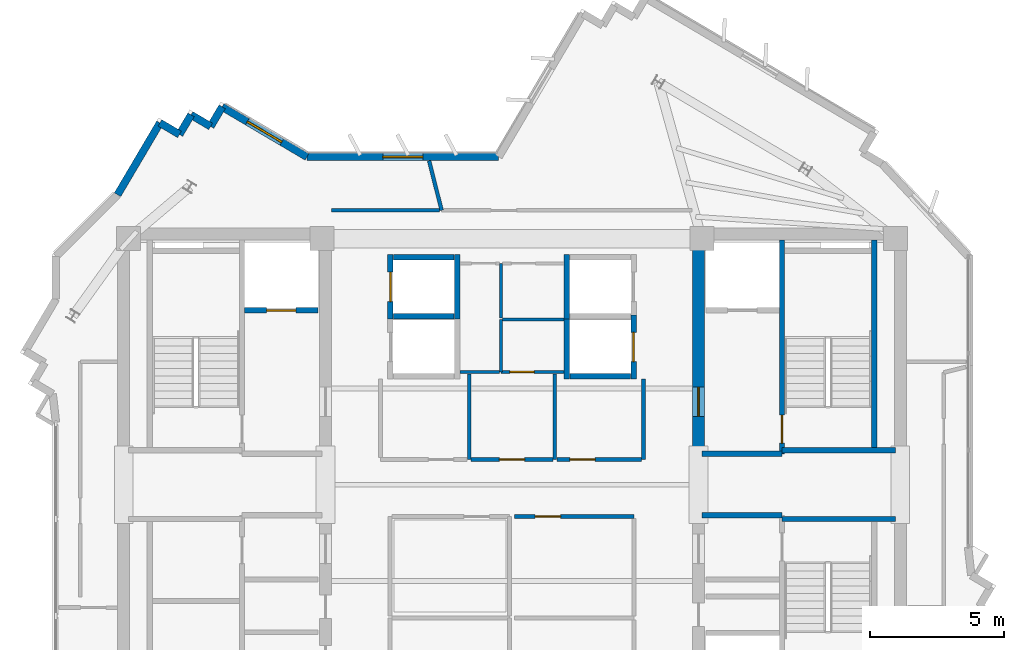
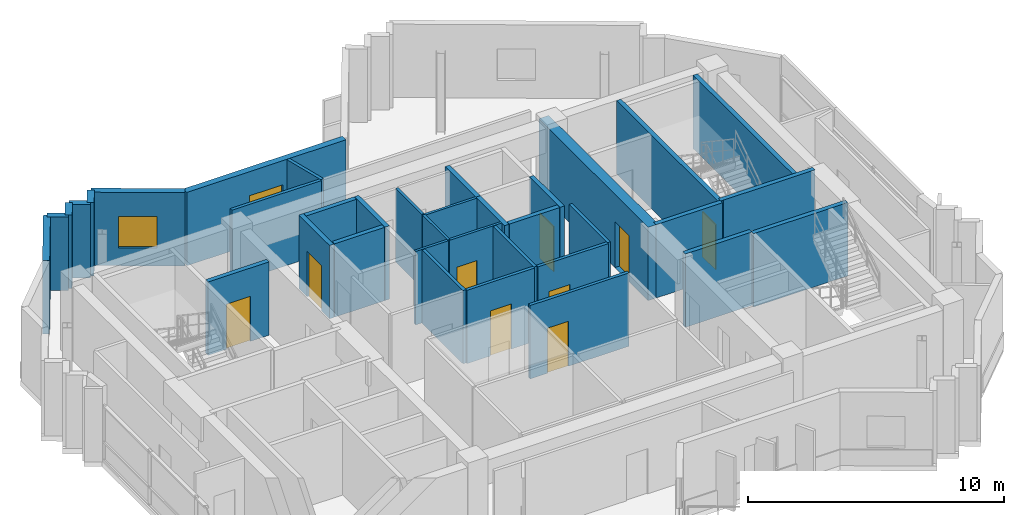
# One storey, part 6 of 10: 36 walls, 9 doors, 2 windows, 11 openings.
"""IFC4 building model written with IfcOpenShell, lengths in metres."""

from ifc_helpers import new_model, si_unit, direction, frame, frame_2d, origin, place, context, subcontext, project, spatial, rectangle, extrude, source, transform, mapped, material, layer, layer_set, type_object, element, fill, save


model = new_model("IFC4")

# Units and contexts
model_context = context("Model", 3, precision=1e-05, world=origin(), true_north=direction((0.0, 1.0)))
body_context = subcontext(model_context, "Body", "Model", "MODEL_VIEW")
ifc_project = project(units=[si_unit("LENGTHUNIT", "METRE"), si_unit("AREAUNIT", "SQUARE_METRE"), si_unit("VOLUMEUNIT", "CUBIC_METRE"), si_unit("PLANEANGLEUNIT", "RADIAN"), si_unit("MASSUNIT", "GRAM", prefix="KILO")], contexts=[model_context])

# Site, building, storey
site_placement = place(None, origin())
site = spatial("IfcSite", under=ifc_project, at=site_placement, CompositionType="ELEMENT")
building_placement = place(site_placement, origin())
building = spatial("IfcBuilding", under=site, at=building_placement, Name="Zahravan Cultural Tower", CompositionType="ELEMENT")
storey_placement = place(building_placement, frame((0.0, 0.0, 346.050048828125)))
storey = spatial("IfcBuildingStorey", under=building, at=storey_placement, Name="L84", CompositionType="ELEMENT", Elevation=346.050048828125)

# Wall, opening, door
ifc_material_1 = material(Name="Concrete C50/60", Category="concrete")
ifc_layer_1 = layer(ifc_material_1, 0.449951171875)
ifc_layer_set_1 = layer_set([ifc_layer_1], Name="Concrete C50/60")
wall_type_1 = type_object("IfcWallType", Name="CW-SHEAR-450-C50", PredefinedType="SHEAR", material=ifc_layer_set_1)
wall_1_placement = place(storey_placement, frame((42.97509765625, 28.050048828125, 0.0), z_axis=(0.0, 0.0, 1.0), x_axis=(0.0, 1.0, 0.0)))
wall_1 = element("IfcWall", 1, at=wall_1_placement, inside=storey, type_object=wall_type_1, Name="L84 Core Shear Wall CW-E-WN-L84", PredefinedType="SHEAR", context=body_context, shape_type="SweptSolid", body=[
    extrude(rectangle(XDim=8.550048828125, YDim=0.449951171875, at=frame_2d((4.27490234375, 0.0))), origin(), (0.0, 0.0, 1.0), 3.5),
])
opening_1_placement = place(wall_1_placement, frame((1.5, 0.0, 0.0)))
opening_1 = element("IfcOpeningElement", 2, at=opening_1_placement, cuts=wall_1, Name="Opening D-L84-07", PredefinedType="OPENING", context=body_context, shape_type="SweptSolid", body=[
    extrude(rectangle(XDim=1.10009765625, YDim=2.199951171875, at=frame_2d((0.550048828125, 1.10009765625))), frame((0.0, 0.23486328125, 0.0), z_axis=(0.0, -1.0, 0.0), x_axis=(1.0, 0.0, 0.0)), (0.0, 0.0, 1.0), 0.469970703125),
])
ifc_material_2 = material(Name="Steel ASTM A572 Grade 50", Category="steel")
door_type_1 = type_object("IfcDoorType", Name="DR-LOBBY-1100", OperationType="NOTDEFINED", PredefinedType="DOOR", material=ifc_material_2)
shared_shape_1 = source(origin(), body_context, "Body", "SweptSolid", [
    extrude(rectangle(XDim=1.10009765625, YDim=2.199951171875, at=frame_2d((0.550048828125, 1.10009765625))), frame((0.0, 0.02490234375, 0.0), z_axis=(0.0, -1.0, 0.0), x_axis=(1.0, 0.0, 0.0)), (0.0, 0.0, 1.0), 0.050048828125),
])
door_1_placement = place(opening_1_placement, origin())
door_1 = element("IfcDoor", 3, at=door_1_placement, inside=storey, type_object=door_type_1, Name="L84 Door D-L84-07", OperationType="SINGLE_SWING_LEFT", OverallHeight=2.199951171875, OverallWidth=1.10009765625, PredefinedType="DOOR", context=body_context, shape_type="MappedRepresentation", body=[
    mapped(shared_shape_1, transform((0.0, 0.0, 0.0), x_axis=(1.0, 0.0, 0.0), y_axis=(0.0, 1.0, 0.0), z_axis=(0.0, 0.0, 1.0), scale=1.0)),
])
fill(opening_1, door_1)

# Wall, opening, window
ifc_material_3 = material(Name="Precast concrete C40/50", Category="concrete")
ifc_layer_2 = layer(ifc_material_3, 0.280029296875)
ifc_layer_set_2 = layer_set([ifc_layer_2], Name="Precast concrete C40/50")
wall_type_2 = type_object("IfcWallType", Name="EW-TC-280", PredefinedType="SOLIDWALL", material=ifc_layer_set_2)
wall_2_placement = place(storey_placement, frame((25.158447265625, 41.132568359375, 0.0), z_axis=(0.0, 0.0, 1.0), x_axis=(0.861166561994, -0.508322882137, 0.0)))
wall_2 = element("IfcWall", 4, at=wall_2_placement, inside=storey, type_object=wall_type_2, Name="L84 Exterior Masonry Frame Wall 45", PredefinedType="SOLIDWALL", context=body_context, shape_type="SweptSolid", body=[
    extrude(rectangle(XDim=3.683837890625, YDim=0.280029296875, at=frame_2d((1.841796875, 0.0))), origin(), (0.0, 0.0, 1.0), 3.5),
])
opening_2_placement = place(wall_2_placement, frame((1.092041015625, 0.0, 0.85009765625)))
opening_2 = element("IfcOpeningElement", 5, at=opening_2_placement, cuts=wall_2, Name="Opening WN-03", PredefinedType="OPENING", context=body_context, shape_type="SweptSolid", body=[
    extrude(rectangle(XDim=1.5, YDim=1.5, at=frame_2d((0.75, 0.75))), frame((0.0, 0.14990234375, 0.0), z_axis=(0.0, -1.0, 0.0), x_axis=(1.0, 0.0, 0.0)), (0.0, 0.0, 1.0), 0.300048828125),
])
ifc_material_4 = material(Name="Low-E solar-control double glazing", Category="glass")
window_type = type_object("IfcWindowType", Name="WN-REC-1500X1500", PartitioningType="SINGLE_PANEL", PredefinedType="WINDOW", material=ifc_material_4)
shared_shape_2 = source(origin(), body_context, "Body", "SweptSolid", [
    extrude(rectangle(XDim=1.5, YDim=1.5, at=frame_2d((0.75, 0.75))), frame((0.0, 0.030029296875, 0.0), z_axis=(0.0, -1.0, 0.0), x_axis=(1.0, 0.0, 0.0)), (0.0, 0.0, 1.0), 0.06005859375),
])
window_1_placement = place(opening_2_placement, origin())
window_1 = element("IfcWindow", 6, at=window_1_placement, inside=storey, type_object=window_type, Name="L84 Recessed Solar Window 07", OverallHeight=1.5, OverallWidth=1.5, PartitioningType="SINGLE_PANEL", PredefinedType="WINDOW", context=body_context, shape_type="MappedRepresentation", body=[
    mapped(shared_shape_2, transform((0.0, 0.0, 0.0), x_axis=(1.0, 0.0, 0.0), y_axis=(0.0, 1.0, 0.0), z_axis=(0.0, 0.0, 1.0), scale=1.0)),
])
fill(opening_2, window_1)

wall_3_placement = place(storey_placement, frame((28.330810546875, 39.260009765625, 0.0), z_axis=(0.0, 0.0, 1.0), x_axis=(1.0, 0.0, 0.0)))
wall_3 = element("IfcWall", 7, at=wall_3_placement, inside=storey, type_object=wall_type_2, Name="L84 Exterior Masonry Frame Wall 46", PredefinedType="SOLIDWALL", context=body_context, shape_type="SweptSolid", body=[
    extrude(rectangle(XDim=7.171875, YDim=0.280029296875, at=frame_2d((3.5859375, 0.0))), origin(), (0.0, 0.0, 1.0), 3.5),
])
opening_3_placement = place(wall_3_placement, frame((2.8359375, 0.0, 0.85009765625)))
opening_3 = element("IfcOpeningElement", 8, at=opening_3_placement, cuts=wall_3, Name="Opening WN-03", PredefinedType="OPENING", context=body_context, shape_type="SweptSolid", body=[
    extrude(rectangle(XDim=1.5, YDim=1.5, at=frame_2d((0.75, 0.75))), frame((0.0, 0.14990234375, 0.0), z_axis=(0.0, -1.0, 0.0), x_axis=(1.0, 0.0, 0.0)), (0.0, 0.0, 1.0), 0.300048828125),
])
window_2_placement = place(opening_3_placement, origin())
window_2 = element("IfcWindow", 9, at=window_2_placement, inside=storey, type_object=window_type, Name="L84 Recessed Solar Window 08", OverallHeight=1.5, OverallWidth=1.5, PartitioningType="SINGLE_PANEL", PredefinedType="WINDOW", context=body_context, shape_type="MappedRepresentation", body=[
    mapped(shared_shape_2, transform((0.0, 0.0, 0.0), x_axis=(1.0, 0.0, 0.0), y_axis=(0.0, 1.0, 0.0), z_axis=(0.0, 0.0, 1.0), scale=1.0)),
])
fill(opening_3, window_2)

# Wall, opening, door
ifc_material_5 = material(Name="Gypsum plasterboard partition")
ifc_layer_3 = layer(ifc_material_5, 0.139892578125)
ifc_layer_set_3 = layer_set([ifc_layer_3], Name="Gypsum plasterboard partition")
wall_type_3 = type_object("IfcWallType", Name="W-PART-140", PredefinedType="PARTITIONING", material=ifc_layer_set_3)
wall_4_placement = place(storey_placement, frame((37.52490234375, 27.93994140625, 0.0), z_axis=(0.0, 0.0, 1.0), x_axis=(-1.0, 0.0, 0.0)))
wall_4 = element("IfcWall", 10, at=wall_4_placement, inside=storey, type_object=wall_type_3, Name="L84 Interior Wall 053", PredefinedType="PARTITIONING", context=body_context, shape_type="SweptSolid", body=[
    extrude(rectangle(XDim=3.0498046875, YDim=0.139892578125, at=frame_2d((1.52490234375, 0.0))), origin(), (0.0, 0.0, 1.0), 3.5),
])
opening_4_placement = place(wall_4_placement, frame((1.050048828125, 0.0, 0.0)))
opening_4 = element("IfcOpeningElement", 11, at=opening_4_placement, cuts=wall_4, Name="Opening D-L84-21", PredefinedType="OPENING", context=body_context, shape_type="SweptSolid", body=[
    extrude(rectangle(XDim=0.949951171875, YDim=2.14990234375, at=frame_2d((0.47509765625, 1.074951171875))), frame((0.0, 0.079833984375, 0.0), z_axis=(0.0, -1.0, 0.0), x_axis=(1.0, 0.0, 0.0)), (0.0, 0.0, 1.0), 0.159912109375),
])
ifc_material_6 = material(Name="Anodised bronze-aluminium mullion", Category="aluminium")
door_type_2 = type_object("IfcDoorType", Name="DR-ROOM-950", OperationType="NOTDEFINED", PredefinedType="DOOR", material=ifc_material_6)
shared_shape_3 = source(origin(), body_context, "Body", "SweptSolid", [
    extrude(rectangle(XDim=0.949951171875, YDim=2.14990234375, at=frame_2d((0.47509765625, 1.074951171875))), frame((0.0, 0.02490234375, 0.0), z_axis=(0.0, -1.0, 0.0), x_axis=(1.0, 0.0, 0.0)), (0.0, 0.0, 1.0), 0.050048828125),
])
door_2_placement = place(opening_4_placement, origin())
door_2 = element("IfcDoor", 12, at=door_2_placement, inside=storey, type_object=door_type_2, Name="L84 Door D-L84-21", OperationType="SINGLE_SWING_LEFT", OverallHeight=2.14990234375, OverallWidth=0.949951171875, PredefinedType="DOOR", context=body_context, shape_type="MappedRepresentation", body=[
    mapped(shared_shape_3, transform((0.0, 0.0, 0.0), x_axis=(1.0, 0.0, 0.0), y_axis=(0.0, 1.0, 0.0), z_axis=(0.0, 0.0, 1.0), scale=1.0)),
])
fill(opening_4, door_2)

wall_5_placement = place(storey_placement, frame((40.844970703125, 27.93994140625, 0.0), z_axis=(0.0, 0.0, 1.0), x_axis=(-1.0, 0.0, 0.0)))
wall_5 = element("IfcWall", 13, at=wall_5_placement, inside=storey, type_object=wall_type_3, Name="L84 Interior Wall 057", PredefinedType="PARTITIONING", context=body_context, shape_type="SweptSolid", body=[
    extrude(rectangle(XDim=3.169921875, YDim=0.139892578125, at=frame_2d((1.5849609375, 0.0))), origin(), (0.0, 0.0, 1.0), 3.5),
])
opening_5_placement = place(wall_5_placement, frame((1.731689453125, 0.0, 0.0)))
opening_5 = element("IfcOpeningElement", 14, at=opening_5_placement, cuts=wall_5, Name="Opening D-L84-22", PredefinedType="OPENING", context=body_context, shape_type="SweptSolid", body=[
    extrude(rectangle(XDim=0.949951171875, YDim=2.14990234375, at=frame_2d((0.47509765625, 1.074951171875))), frame((0.0, 0.079833984375, 0.0), z_axis=(0.0, -1.0, 0.0), x_axis=(1.0, 0.0, 0.0)), (0.0, 0.0, 1.0), 0.159912109375),
])
door_3_placement = place(opening_5_placement, origin())
door_3 = element("IfcDoor", 15, at=door_3_placement, inside=storey, type_object=door_type_2, Name="L84 Door D-L84-22", OperationType="SINGLE_SWING_RIGHT", OverallHeight=2.14990234375, OverallWidth=0.949951171875, PredefinedType="DOOR", context=body_context, shape_type="MappedRepresentation", body=[
    mapped(shared_shape_3, transform((0.0, 0.0, 0.0), x_axis=(1.0, 0.0, 0.0), y_axis=(0.0, 1.0, 0.0), z_axis=(0.0, 0.0, 1.0), scale=1.0)),
])
fill(opening_5, door_3)

wall_6_placement = place(storey_placement, frame((36.090087890625, 25.81005859375, 0.0), z_axis=(0.0, 0.0, 1.0), x_axis=(1.0, 0.0, 0.0)))
wall_6 = element("IfcWall", 16, at=wall_6_placement, inside=storey, type_object=wall_type_3, Name="L84 Interior Wall 068", PredefinedType="PARTITIONING", context=body_context, shape_type="SweptSolid", body=[
    extrude(rectangle(XDim=4.469970703125, YDim=0.139892578125, at=frame_2d((2.23486328125, 0.0))), origin(), (0.0, 0.0, 1.0), 3.5),
])
opening_6_placement = place(wall_6_placement, frame((0.7744140625, 0.0, 0.0)))
opening_6 = element("IfcOpeningElement", 17, at=opening_6_placement, cuts=wall_6, Name="Opening D-L84-17", PredefinedType="OPENING", context=body_context, shape_type="SweptSolid", body=[
    extrude(rectangle(XDim=0.949951171875, YDim=2.14990234375, at=frame_2d((0.47509765625, 1.074951171875))), frame((0.0, 0.079833984375, 0.0), z_axis=(0.0, -1.0, 0.0), x_axis=(1.0, 0.0, 0.0)), (0.0, 0.0, 1.0), 0.159912109375),
])
door_4_placement = place(opening_6_placement, origin())
door_4 = element("IfcDoor", 18, at=door_4_placement, inside=storey, type_object=door_type_2, Name="L84 Door D-L84-17", OperationType="SINGLE_SWING_LEFT", OverallHeight=2.14990234375, OverallWidth=0.949951171875, PredefinedType="DOOR", context=body_context, shape_type="MappedRepresentation", body=[
    mapped(shared_shape_3, transform((0.0, 0.0, 0.0), x_axis=(1.0, 0.0, 0.0), y_axis=(0.0, 1.0, 0.0), z_axis=(0.0, 0.0, 1.0), scale=1.0)),
])
fill(opening_6, door_4)

ifc_material_7 = material(Name="Concrete C45/55", Category="concrete")
ifc_layer_4 = layer(ifc_material_7, 0.199951171875)
ifc_layer_set_4 = layer_set([ifc_layer_4], Name="Concrete C45/55")
wall_type_4 = type_object("IfcWallType", Name="W-SHAFT-200", PredefinedType="SOLIDWALL", material=ifc_layer_set_4)
wall_7_placement = place(storey_placement, frame((46.10009765625, 28.14990234375, 0.0), z_axis=(0.0, 0.0, 1.0), x_axis=(0.0, 1.0, 0.0)))
wall_7 = element("IfcWall", 19, at=wall_7_placement, inside=storey, type_object=wall_type_4, Name="L84 Interior Wall 008", PredefinedType="SOLIDWALL", context=body_context, shape_type="SweptSolid", body=[
    extrude(rectangle(XDim=8.0, YDim=0.199951171875, at=frame_2d((4.0, 0.0))), origin(), (0.0, 0.0, 1.0), 3.5),
])
opening_7_placement = place(wall_7_placement, frame((0.39990234375, 0.0, 0.0)))
opening_7 = element("IfcOpeningElement", 20, at=opening_7_placement, cuts=wall_7, Name="Opening D-L84-02", PredefinedType="OPENING", context=body_context, shape_type="SweptSolid", body=[
    extrude(rectangle(XDim=1.050048828125, YDim=2.14990234375, at=frame_2d((0.52490234375, 1.074951171875))), frame((0.0, 0.10986328125, 0.0), z_axis=(0.0, -1.0, 0.0), x_axis=(1.0, 0.0, 0.0)), (0.0, 0.0, 1.0), 0.219970703125),
])
door_type_3 = type_object("IfcDoorType", Name="DR-STAIR-1050", OperationType="NOTDEFINED", PredefinedType="DOOR", material=ifc_material_2)
shared_shape_4 = source(origin(), body_context, "Body", "SweptSolid", [
    extrude(rectangle(XDim=1.050048828125, YDim=2.14990234375, at=frame_2d((0.52490234375, 1.074951171875))), frame((0.0, 0.02490234375, 0.0), z_axis=(0.0, -1.0, 0.0), x_axis=(1.0, 0.0, 0.0)), (0.0, 0.0, 1.0), 0.050048828125),
])
door_5_placement = place(opening_7_placement, origin())
door_5 = element("IfcDoor", 21, at=door_5_placement, inside=storey, type_object=door_type_3, Name="L84 Door D-L84-02", OperationType="SINGLE_SWING_RIGHT", OverallHeight=2.14990234375, OverallWidth=1.050048828125, PredefinedType="DOOR", context=body_context, shape_type="MappedRepresentation", body=[
    mapped(shared_shape_4, transform((0.0, 0.0, 0.0), x_axis=(1.0, 0.0, 0.0), y_axis=(0.0, 1.0, 0.0), z_axis=(0.0, 0.0, 1.0), scale=1.0)),
])
fill(opening_7, door_5)

wall_8_placement = place(storey_placement, frame((26.0, 33.52001953125, 0.0), z_axis=(0.0, 0.0, 1.0), x_axis=(1.0, 0.0, 0.0)))
wall_8 = element("IfcWall", 22, at=wall_8_placement, inside=storey, type_object=wall_type_4, Name="L84 Interior Wall 022", PredefinedType="SOLIDWALL", context=body_context, shape_type="SweptSolid", body=[
    extrude(rectangle(XDim=2.75, YDim=0.199951171875, at=frame_2d((1.375, 0.0))), origin(), (0.0, 0.0, 1.0), 3.5),
])
opening_8_placement = place(wall_8_placement, frame((0.820068359375, 0.0, 0.0)))
opening_8 = element("IfcOpeningElement", 23, at=opening_8_placement, cuts=wall_8, Name="Opening LD-L84-01", PredefinedType="OPENING", context=body_context, shape_type="SweptSolid", body=[
    extrude(rectangle(XDim=1.10009765625, YDim=2.14990234375, at=frame_2d((0.550048828125, 1.074951171875))), frame((0.0, 0.10986328125, 0.0), z_axis=(0.0, -1.0, 0.0), x_axis=(1.0, 0.0, 0.0)), (0.0, 0.0, 1.0), 0.219970703125),
])
door_type_4 = type_object("IfcDoorType", Name="DR-LIFT-1100", OperationType="DOUBLE_DOOR_SLIDING", PredefinedType="DOOR", material=ifc_material_2)
shared_shape_5 = source(origin(), body_context, "Body", "SweptSolid", [
    extrude(rectangle(XDim=1.10009765625, YDim=2.14990234375, at=frame_2d((0.550048828125, 1.074951171875))), frame((0.0, 0.02490234375, 0.0), z_axis=(0.0, -1.0, 0.0), x_axis=(1.0, 0.0, 0.0)), (0.0, 0.0, 1.0), 0.050048828125),
])
door_6_placement = place(opening_8_placement, origin())
door_6 = element("IfcDoor", 24, at=door_6_placement, inside=storey, type_object=door_type_4, Name="L84 Door LD-L84-01", OperationType="DOUBLE_DOOR_SLIDING", OverallHeight=2.14990234375, OverallWidth=1.10009765625, PredefinedType="DOOR", context=body_context, shape_type="MappedRepresentation", body=[
    mapped(shared_shape_5, transform((0.0, 0.0, 0.0), x_axis=(1.0, 0.0, 0.0), y_axis=(0.0, 1.0, 0.0), z_axis=(0.0, 0.0, 1.0), scale=1.0)),
])
fill(opening_8, door_6)

wall_9_placement = place(storey_placement, frame((31.449951171875, 33.199951171875, 0.0), z_axis=(0.0, 0.0, 1.0), x_axis=(0.0, 1.0, 0.0)))
wall_9 = element("IfcWall", 25, at=wall_9_placement, inside=storey, type_object=wall_type_4, Name="L84 Interior Wall 030", PredefinedType="SOLIDWALL", context=body_context, shape_type="SweptSolid", body=[
    extrude(rectangle(XDim=2.400146484375, YDim=0.199951171875, at=frame_2d((1.2001953125, 0.0))), origin(), (0.0, 0.0, 1.0), 3.5),
])
opening_9_placement = place(wall_9_placement, frame((0.64990234375, 0.0, 0.0)))
opening_9 = element("IfcOpeningElement", 26, at=opening_9_placement, cuts=wall_9, Name="Opening LD-L84-04", PredefinedType="OPENING", context=body_context, shape_type="SweptSolid", body=[
    extrude(rectangle(XDim=1.10009765625, YDim=2.14990234375, at=frame_2d((0.550048828125, 1.074951171875))), frame((0.0, 0.10986328125, 0.0), z_axis=(0.0, -1.0, 0.0), x_axis=(1.0, 0.0, 0.0)), (0.0, 0.0, 1.0), 0.219970703125),
])
door_7_placement = place(opening_9_placement, origin())
door_7 = element("IfcDoor", 27, at=door_7_placement, inside=storey, type_object=door_type_4, Name="L84 Door LD-L84-04", OperationType="DOUBLE_DOOR_SLIDING", OverallHeight=2.14990234375, OverallWidth=1.10009765625, PredefinedType="DOOR", context=body_context, shape_type="MappedRepresentation", body=[
    mapped(shared_shape_5, transform((0.0, 0.0, 0.0), x_axis=(1.0, 0.0, 0.0), y_axis=(0.0, 1.0, 0.0), z_axis=(0.0, 0.0, 1.0), scale=1.0)),
])
fill(opening_9, door_7)

wall_10_placement = place(storey_placement, frame((40.550048828125, 30.949951171875, 0.0), z_axis=(0.0, 0.0, 1.0), x_axis=(0.0, 1.0, 0.0)))
wall_10 = element("IfcWall", 28, at=wall_10_placement, inside=storey, type_object=wall_type_4, Name="L84 Interior Wall 042", PredefinedType="SOLIDWALL", context=body_context, shape_type="SweptSolid", body=[
    extrude(rectangle(XDim=2.400146484375, YDim=0.199951171875, at=frame_2d((1.2001953125, 0.0))), origin(), (0.0, 0.0, 1.0), 3.5),
])
opening_10_placement = place(wall_10_placement, frame((0.64990234375, 0.0, 0.0)))
opening_10 = element("IfcOpeningElement", 29, at=opening_10_placement, cuts=wall_10, Name="Opening LD-L84-07", PredefinedType="OPENING", context=body_context, shape_type="SweptSolid", body=[
    extrude(rectangle(XDim=1.10009765625, YDim=2.14990234375, at=frame_2d((0.550048828125, 1.074951171875))), frame((0.0, 0.10986328125, 0.0), z_axis=(0.0, -1.0, 0.0), x_axis=(1.0, 0.0, 0.0)), (0.0, 0.0, 1.0), 0.219970703125),
])
door_8_placement = place(opening_10_placement, origin())
door_8 = element("IfcDoor", 30, at=door_8_placement, inside=storey, type_object=door_type_4, Name="L84 Door LD-L84-07", OperationType="DOUBLE_DOOR_SLIDING", OverallHeight=2.14990234375, OverallWidth=1.10009765625, PredefinedType="DOOR", context=body_context, shape_type="MappedRepresentation", body=[
    mapped(shared_shape_5, transform((0.0, 0.0, 0.0), x_axis=(1.0, 0.0, 0.0), y_axis=(0.0, 1.0, 0.0), z_axis=(0.0, 0.0, 1.0), scale=1.0)),
])
fill(opening_10, door_8)

ifc_layer_5 = layer(ifc_material_5, 0.114990234375)
ifc_layer_set_5 = layer_set([ifc_layer_5], Name="Gypsum plasterboard partition")
wall_type_5 = type_object("IfcWallType", Name="W-WC-115", PredefinedType="PARTITIONING", material=ifc_layer_set_5)
wall_11_placement = place(storey_placement, frame((37.945068359375, 31.219970703125, 0.0), z_axis=(0.0, 0.0, 1.0), x_axis=(-1.0, 0.0, 0.0)))
wall_11 = element("IfcWall", 31, at=wall_11_placement, inside=storey, type_object=wall_type_5, Name="L84 Interior Wall 044", PredefinedType="PARTITIONING", context=body_context, shape_type="SweptSolid", body=[
    extrude(rectangle(XDim=2.35498046875, YDim=0.114990234375, at=frame_2d((1.177490234375, 0.0))), origin(), (0.0, 0.0, 1.0), 3.5),
])
opening_11_placement = place(wall_11_placement, frame((1.120849609375, 0.0, 0.0)))
opening_11 = element("IfcOpeningElement", 32, at=opening_11_placement, cuts=wall_11, Name="Opening D-L84-29", PredefinedType="OPENING", context=body_context, shape_type="SweptSolid", body=[
    extrude(rectangle(XDim=0.89990234375, YDim=2.10009765625, at=frame_2d((0.449951171875, 1.050048828125))), frame((0.0, 0.0673828125, 0.0), z_axis=(0.0, -1.0, 0.0), x_axis=(1.0, 0.0, 0.0)), (0.0, 0.0, 1.0), 0.135009765625),
])
door_type_5 = type_object("IfcDoorType", Name="DR-WC-900", OperationType="NOTDEFINED", PredefinedType="DOOR", material=ifc_material_6)
shared_shape_6 = source(origin(), body_context, "Body", "SweptSolid", [
    extrude(rectangle(XDim=0.89990234375, YDim=2.10009765625, at=frame_2d((0.449951171875, 1.050048828125))), frame((0.0, 0.02490234375, 0.0), z_axis=(0.0, -1.0, 0.0), x_axis=(1.0, 0.0, 0.0)), (0.0, 0.0, 1.0), 0.050048828125),
])
door_9_placement = place(opening_11_placement, origin())
door_9 = element("IfcDoor", 33, at=door_9_placement, inside=storey, type_object=door_type_5, Name="L84 Door D-L84-29", OperationType="SINGLE_SWING_LEFT", OverallHeight=2.10009765625, OverallWidth=0.89990234375, PredefinedType="DOOR", context=body_context, shape_type="MappedRepresentation", body=[
    mapped(shared_shape_6, transform((0.0, 0.0, 0.0), x_axis=(1.0, 0.0, 0.0), y_axis=(0.0, 1.0, 0.0), z_axis=(0.0, 0.0, 1.0), scale=1.0)),
])
fill(opening_11, door_9)

# Walls
shared_shape_7 = source(origin(), body_context, "Body", "SweptSolid", [
    extrude(rectangle(XDim=0.85009765625, YDim=0.280029296875, at=frame_2d((0.425048828125, 0.0))), origin(), (0.0, 0.0, 1.0), 3.5),
])
for number, where, z_axis, x_axis, name in (
    (34, (22.830322265625, 40.53271484375, 0.0), (0.0, 0.0, 1.0), (0.861120885632, -0.508400256027, 0.0), "L84 Exterior Masonry Frame Wall 41"),
    (35, (23.562255859375, 40.1005859375, 0.0), (0.0, 0.0, 1.0), (0.508400256027, 0.861120885632, 0.0), "L84 Exterior Masonry Frame Wall 42"),
    (36, (23.994384765625, 40.83251953125, 0.0), (0.0, 0.0, 1.0), (0.861120885632, -0.508400256027, 0.0), "L84 Exterior Masonry Frame Wall 43"),
    (37, (24.726318359375, 40.400390625, 0.0), (0.0, 0.0, 1.0), (0.508274533332, 0.861195099131, 0.0), "L84 Exterior Masonry Frame Wall 44"),
):
    element("IfcWall", number, at=place(storey_placement, frame(where, z_axis=z_axis, x_axis=x_axis)), inside=storey, type_object=wall_type_2, Name=name, PredefinedType="SOLIDWALL", context=body_context, shape_type="MappedRepresentation", body=[
        mapped(shared_shape_7, transform((0.0, 0.0, 0.0), x_axis=(1.0, 0.0, 0.0), y_axis=(0.0, 1.0, 0.0), z_axis=(0.0, 0.0, 1.0), scale=1.0)),
    ])
shared_shape_8 = source(origin(), body_context, "Body", "SweptSolid", [
    extrude(rectangle(XDim=3.117919921875, YDim=0.280029296875, at=frame_2d((1.55908203125, 0.0))), origin(), (0.0, 0.0, 1.0), 3.5),
])
wall_12_placement = place(storey_placement, frame((21.24560546875, 37.84765625, 0.0), z_axis=(0.0, 0.0, 1.0), x_axis=(0.508275482209, 0.861194539106, 0.0)))
element("IfcWall", 38, at=wall_12_placement, inside=storey, type_object=wall_type_2, Name="L84 Exterior Masonry Frame Wall 40", PredefinedType="SOLIDWALL", context=body_context, shape_type="MappedRepresentation", body=[
    mapped(shared_shape_8, transform((0.0, 0.0, 0.0), x_axis=(1.0, 0.0, 0.0), y_axis=(0.0, 1.0, 0.0), z_axis=(0.0, 0.0, 1.0), scale=1.0)),
])
shared_shape_9 = source(origin(), body_context, "Body", "SweptSolid", [
    extrude(rectangle(XDim=7.869873046875, YDim=0.199951171875, at=frame_2d((3.93505859375, 0.0))), origin(), (0.0, 0.0, 1.0), 3.5),
])
wall_13_placement = place(storey_placement, frame((49.550048828125, 28.280029296875, 0.0), z_axis=(0.0, 0.0, 1.0), x_axis=(0.0, 1.0, 0.0)))
element("IfcWall", 39, at=wall_13_placement, inside=storey, type_object=wall_type_4, Name="L84 Interior Wall 004", PredefinedType="SOLIDWALL", context=body_context, shape_type="MappedRepresentation", body=[
    mapped(shared_shape_9, transform((0.0, 0.0, 0.0), x_axis=(1.0, 0.0, 0.0), y_axis=(0.0, 1.0, 0.0), z_axis=(0.0, 0.0, 1.0), scale=1.0)),
])
shared_shape_10 = source(origin(), body_context, "Body", "SweptSolid", [
    extrude(rectangle(XDim=4.25, YDim=0.199951171875, at=frame_2d((2.125, 0.0))), origin(), (0.0, 0.0, 1.0), 3.5),
])
for number, where, z_axis, x_axis, name in (
    (40, (46.10009765625, 25.715087890625, 0.0), (0.0, 0.0, 1.0), (1.0, 0.0, 0.0), "L84 Interior Wall 014"),
    (41, (46.10009765625, 28.284912109375, 0.0), (0.0, 0.0, 1.0), (1.0, 0.0, 0.0), "L84 Interior Wall 016"),
):
    element("IfcWall", number, at=place(storey_placement, frame(where, z_axis=z_axis, x_axis=x_axis)), inside=storey, type_object=wall_type_4, Name=name, PredefinedType="SOLIDWALL", context=body_context, shape_type="MappedRepresentation", body=[
        mapped(shared_shape_10, transform((0.0, 0.0, 0.0), x_axis=(1.0, 0.0, 0.0), y_axis=(0.0, 1.0, 0.0), z_axis=(0.0, 0.0, 1.0), scale=1.0)),
    ])
shared_shape_11 = source(origin(), body_context, "Body", "SweptSolid", [
    extrude(rectangle(XDim=3.0, YDim=0.199951171875, at=frame_2d((1.5, 0.0))), origin(), (0.0, 0.0, 1.0), 3.5),
])
for number, where, z_axis, x_axis, name in (
    (42, (43.10009765625, 25.85009765625, 0.0), (0.0, 0.0, 1.0), (1.0, 0.0, 0.0), "L84 Interior Wall 013"),
    (43, (43.10009765625, 28.14990234375, 0.0), (0.0, 0.0, 1.0), (1.0, 0.0, 0.0), "L84 Interior Wall 015"),
):
    element("IfcWall", number, at=place(storey_placement, frame(where, z_axis=z_axis, x_axis=x_axis)), inside=storey, type_object=wall_type_4, Name=name, PredefinedType="SOLIDWALL", context=body_context, shape_type="MappedRepresentation", body=[
        mapped(shared_shape_11, transform((0.0, 0.0, 0.0), x_axis=(1.0, 0.0, 0.0), y_axis=(0.0, 1.0, 0.0), z_axis=(0.0, 0.0, 1.0), scale=1.0)),
    ])
shared_shape_12 = source(origin(), body_context, "Body", "SweptSolid", [
    extrude(rectangle(XDim=2.400146484375, YDim=0.199951171875, at=frame_2d((1.2001953125, 0.0))), origin(), (0.0, 0.0, 1.0), 3.5),
])
for number, where, z_axis, x_axis, name in (
    (44, (33.949951171875, 33.199951171875, 0.0), (0.0, 0.0, 1.0), (0.0, 1.0, 0.0), "L84 Interior Wall 031"),
    (45, (38.050048828125, 33.199951171875, 0.0), (0.0, 0.0, 1.0), (0.0, 1.0, 0.0), "L84 Interior Wall 037"),
    (46, (38.050048828125, 30.949951171875, 0.0), (0.0, 0.0, 1.0), (0.0, 1.0, 0.0), "L84 Interior Wall 041"),
):
    element("IfcWall", number, at=place(storey_placement, frame(where, z_axis=z_axis, x_axis=x_axis)), inside=storey, type_object=wall_type_4, Name=name, PredefinedType="SOLIDWALL", context=body_context, shape_type="MappedRepresentation", body=[
        mapped(shared_shape_12, transform((0.0, 0.0, 0.0), x_axis=(1.0, 0.0, 0.0), y_axis=(0.0, 1.0, 0.0), z_axis=(0.0, 0.0, 1.0), scale=1.0)),
    ])
shared_shape_13 = source(origin(), body_context, "Body", "SweptSolid", [
    extrude(rectangle(XDim=2.260009765625, YDim=0.199951171875, at=frame_2d((1.1298828125, 0.0))), origin(), (0.0, 0.0, 1.0), 3.5),
])
for number, where, z_axis, x_axis, name in (
    (47, (31.570068359375, 33.300048828125, 0.0), (0.0, 0.0, 1.0), (1.0, 0.0, 0.0), "L84 Interior Wall 032"),
    (48, (31.570068359375, 35.5, 0.0), (0.0, 0.0, 1.0), (1.0, 0.0, 0.0), "L84 Interior Wall 033"),
    (49, (38.169921875, 31.050048828125, 0.0), (0.0, 0.0, 1.0), (1.0, 0.0, 0.0), "L84 Interior Wall 043"),
):
    element("IfcWall", number, at=place(storey_placement, frame(where, z_axis=z_axis, x_axis=x_axis)), inside=storey, type_object=wall_type_4, Name=name, PredefinedType="SOLIDWALL", context=body_context, shape_type="MappedRepresentation", body=[
        mapped(shared_shape_13, transform((0.0, 0.0, 0.0), x_axis=(1.0, 0.0, 0.0), y_axis=(0.0, 1.0, 0.0), z_axis=(0.0, 0.0, 1.0), scale=1.0)),
    ])
shared_shape_14 = source(origin(), body_context, "Body", "SweptSolid", [
    extrude(rectangle(XDim=1.9599609375, YDim=0.114990234375, at=frame_2d((0.97998046875, 0.0))), origin(), (0.0, 0.0, 1.0), 3.5),
])
wall_14_placement = place(storey_placement, frame((35.590087890625, 31.219970703125, 0.0), z_axis=(0.0, 0.0, 1.0), x_axis=(0.0, 1.0, 0.0)))
element("IfcWall", 50, at=wall_14_placement, inside=storey, type_object=wall_type_5, Name="L84 Interior Wall 045", PredefinedType="PARTITIONING", context=body_context, shape_type="MappedRepresentation", body=[
    mapped(shared_shape_14, transform((0.0, 0.0, 0.0), x_axis=(1.0, 0.0, 0.0), y_axis=(0.0, 1.0, 0.0), z_axis=(0.0, 0.0, 1.0), scale=1.0)),
])
shared_shape_15 = source(origin(), body_context, "Body", "SweptSolid", [
    extrude(rectangle(XDim=2.29248046875, YDim=0.114990234375, at=frame_2d((1.146240234375, 0.0))), origin(), (0.0, 0.0, 1.0), 3.5),
])
wall_15_placement = place(storey_placement, frame((35.652587890625, 33.179931640625, 0.0), z_axis=(0.0, 0.0, 1.0), x_axis=(1.0, 0.0, 0.0)))
element("IfcWall", 51, at=wall_15_placement, inside=storey, type_object=wall_type_5, Name="L84 Interior Wall 046", PredefinedType="PARTITIONING", context=body_context, shape_type="MappedRepresentation", body=[
    mapped(shared_shape_15, transform((0.0, 0.0, 0.0), x_axis=(1.0, 0.0, 0.0), y_axis=(0.0, 1.0, 0.0), z_axis=(0.0, 0.0, 1.0), scale=1.0)),
])
shared_shape_16 = source(origin(), body_context, "Body", "SweptSolid", [
    extrude(rectangle(XDim=2.0400390625, YDim=0.114990234375, at=frame_2d((1.02001953125, 0.0))), origin(), (0.0, 0.0, 1.0), 3.5),
])
wall_16_placement = place(storey_placement, frame((35.590087890625, 33.239990234375, 0.0), z_axis=(0.0, 0.0, 1.0), x_axis=(0.0, 1.0, 0.0)))
element("IfcWall", 52, at=wall_16_placement, inside=storey, type_object=wall_type_5, Name="L84 Interior Wall 047", PredefinedType="PARTITIONING", context=body_context, shape_type="MappedRepresentation", body=[
    mapped(shared_shape_16, transform((0.0, 0.0, 0.0), x_axis=(1.0, 0.0, 0.0), y_axis=(0.0, 1.0, 0.0), z_axis=(0.0, 0.0, 1.0), scale=1.0)),
])
shared_shape_17 = source(origin(), body_context, "Body", "SweptSolid", [
    extrude(rectangle(XDim=1.47265625, YDim=0.114990234375, at=frame_2d((0.736328125, 0.0))), origin(), (0.0, 0.0, 1.0), 3.5),
])
wall_17_placement = place(storey_placement, frame((35.527587890625, 31.219970703125, 0.0), z_axis=(0.0, 0.0, 1.0), x_axis=(-1.0, 0.0, 0.0)))
element("IfcWall", 53, at=wall_17_placement, inside=storey, type_object=wall_type_5, Name="L84 Interior Wall 049", PredefinedType="PARTITIONING", context=body_context, shape_type="MappedRepresentation", body=[
    mapped(shared_shape_17, transform((0.0, 0.0, 0.0), x_axis=(1.0, 0.0, 0.0), y_axis=(0.0, 1.0, 0.0), z_axis=(0.0, 0.0, 1.0), scale=1.0)),
])
shared_shape_18 = source(origin(), body_context, "Body", "SweptSolid", [
    extrude(rectangle(XDim=3.010009765625, YDim=0.139892578125, at=frame_2d((1.5048828125, 0.0))), origin(), (0.0, 0.0, 1.0), 3.5),
])
wall_18_placement = place(storey_placement, frame((40.919921875, 30.949951171875, 0.0), z_axis=(0.0, 0.0, 1.0), x_axis=(0.0, -1.0, 0.0)))
element("IfcWall", 54, at=wall_18_placement, inside=storey, type_object=wall_type_3, Name="L84 Interior Wall 056", PredefinedType="PARTITIONING", context=body_context, shape_type="MappedRepresentation", body=[
    mapped(shared_shape_18, transform((0.0, 0.0, 0.0), x_axis=(1.0, 0.0, 0.0), y_axis=(0.0, 1.0, 0.0), z_axis=(0.0, 0.0, 1.0), scale=1.0)),
])
shared_shape_19 = source(origin(), body_context, "Body", "SweptSolid", [
    extrude(rectangle(XDim=3.199951171875, YDim=0.139892578125, at=frame_2d((1.60009765625, 0.0))), origin(), (0.0, 0.0, 1.0), 3.5),
])
for number, where, z_axis, x_axis, name in (
    (55, (34.39990234375, 27.93994140625, 0.0), (0.0, 0.0, 1.0), (0.0, 1.0, 0.0), "L84 Interior Wall 051"),
    (56, (37.60009765625, 31.139892578125, 0.0), (0.0, 0.0, 1.0), (0.0, -1.0, 0.0), "L84 Interior Wall 052"),
):
    element("IfcWall", number, at=place(storey_placement, frame(where, z_axis=z_axis, x_axis=x_axis)), inside=storey, type_object=wall_type_3, Name=name, PredefinedType="PARTITIONING", context=body_context, shape_type="MappedRepresentation", body=[
        mapped(shared_shape_19, transform((0.0, 0.0, 0.0), x_axis=(1.0, 0.0, 0.0), y_axis=(0.0, 1.0, 0.0), z_axis=(0.0, 0.0, 1.0), scale=1.0)),
    ])
shared_shape_20 = source(origin(), body_context, "Body", "SweptSolid", [
    extrude(rectangle(XDim=1.913330078125, YDim=0.139892578125, at=frame_2d((0.95654296875, 0.0))), origin(), (0.0, 0.0, 1.0), 3.5),
])
wall_19_placement = place(storey_placement, frame((32.8994140625, 39.114990234375, 0.0), z_axis=(0.0, 0.0, 1.0), x_axis=(0.244876872924, -0.969554184719, 0.0)))
element("IfcWall", 57, at=wall_19_placement, inside=storey, type_object=wall_type_3, Name="L84 Interior Wall 086", PredefinedType="PARTITIONING", context=body_context, shape_type="MappedRepresentation", body=[
    mapped(shared_shape_20, transform((0.0, 0.0, 0.0), x_axis=(1.0, 0.0, 0.0), y_axis=(0.0, 1.0, 0.0), z_axis=(0.0, 0.0, 1.0), scale=1.0)),
])
shared_shape_21 = source(origin(), body_context, "Body", "SweptSolid", [
    extrude(rectangle(XDim=4.036865234375, YDim=0.139892578125, at=frame_2d((2.0185546875, 0.0))), origin(), (0.0, 0.0, 1.0), 3.5),
])
wall_20_placement = place(storey_placement, frame((33.29052734375, 37.260009765625, 0.0), z_axis=(0.0, 0.0, 1.0), x_axis=(-0.999999992685, -0.000120955548, 0.0)))
element("IfcWall", 58, at=wall_20_placement, inside=storey, type_object=wall_type_3, Name="L84 Interior Wall 087", PredefinedType="PARTITIONING", context=body_context, shape_type="MappedRepresentation", body=[
    mapped(shared_shape_21, transform((0.0, 0.0, 0.0), x_axis=(1.0, 0.0, 0.0), y_axis=(0.0, 1.0, 0.0), z_axis=(0.0, 0.0, 1.0), scale=1.0)),
])

save(model, "model.ifc")
